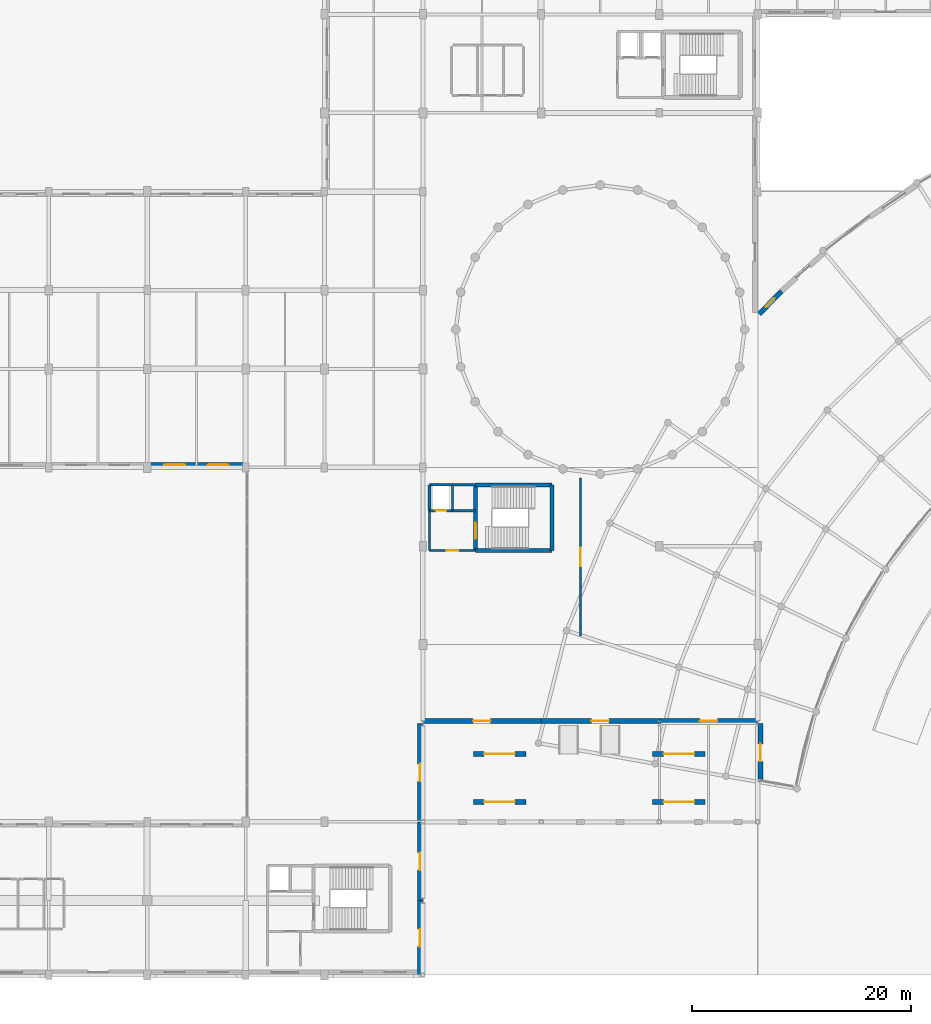
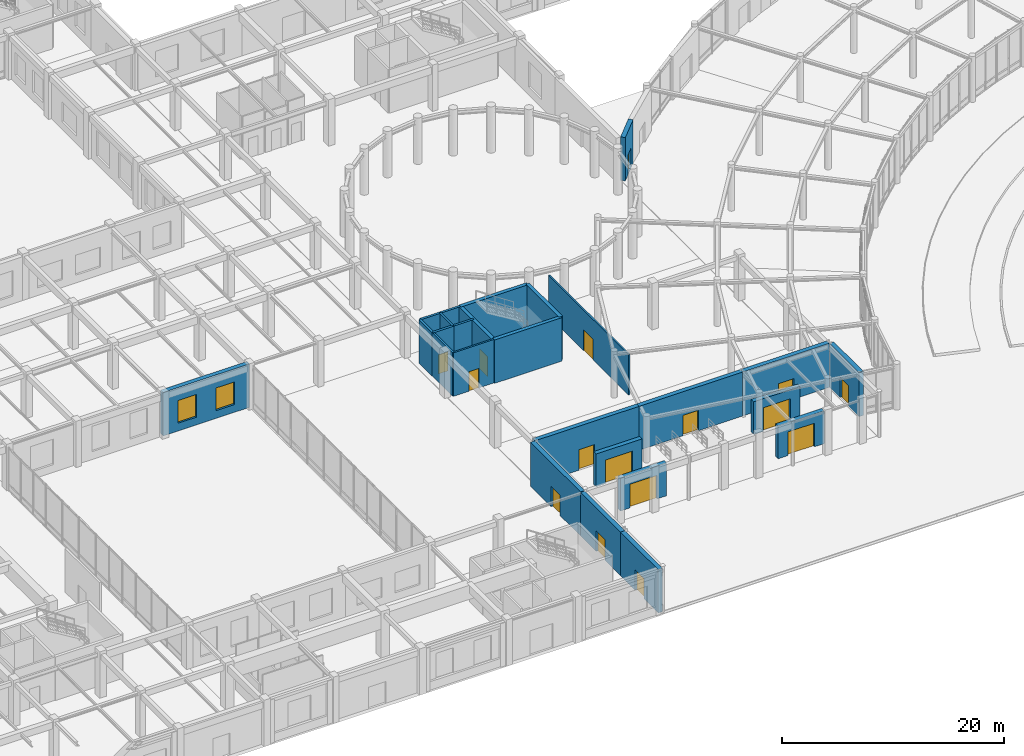
# One storey, part 47 of 64: 25 walls, 16 doors, 2 windows, 18 openings.
"""IFC4 building model written with IfcOpenShell, lengths in metres."""

from ifc_helpers import new_model, si_unit, direction, frame, frame_2d, origin, place, context, subcontext, project, spatial, rectangle, extrude, material, layer, layer_set, type_object, element, fill, save


model = new_model("IFC4")

# Units and contexts
model_context = context("Model", 3, precision=1e-05, world=origin(), true_north=direction((0.0, 1.0)))
body_context = subcontext(model_context, "Body", "Model", "MODEL_VIEW")
ifc_project = project(units=[si_unit("LENGTHUNIT", "METRE"), si_unit("AREAUNIT", "SQUARE_METRE"), si_unit("VOLUMEUNIT", "CUBIC_METRE"), si_unit("PLANEANGLEUNIT", "RADIAN"), si_unit("MASSUNIT", "GRAM", prefix="KILO")], contexts=[model_context])

# Site, building, storey
site_placement = place(None, origin())
site = spatial("IfcSite", under=ifc_project, at=site_placement, CompositionType="ELEMENT")
building_placement = place(site_placement, origin())
building = spatial("IfcBuilding", under=site, at=building_placement, Name="Clarverna Civic Hall", CompositionType="ELEMENT")
storey_placement = place(building_placement, origin())
storey = spatial("IfcBuildingStorey", under=building, at=storey_placement, Name="L00", CompositionType="ELEMENT", Elevation=0.0)

# Wall, opening, door
ifc_material_1 = material(Name="Precast concrete C40/50", Category="concrete")
ifc_layer_1 = layer(ifc_material_1, 0.449951171875)
ifc_layer_set_1 = layer_set([ifc_layer_1], Name="Precast concrete C40/50")
wall_type_1 = type_object("IfcWallType", Name="EW-01", PredefinedType="SOLIDWALL", material=ifc_layer_set_1)
wall_1_placement = place(storey_placement, frame((97.3369140625, 60.410400390625, 0.0), z_axis=(0.0, 0.0, 1.0), x_axis=(0.694682433402, 0.719316562246, 0.0)))
wall_1 = element("IfcWall", 1, at=wall_1_placement, inside=storey, type_object=wall_type_1, Name="EW-01-063", PredefinedType="SOLIDWALL", context=body_context, shape_type="SweptSolid", body=[
    extrude(rectangle(XDim=2.923583984375, YDim=0.449951171875, at=frame_2d((1.4619140625, 0.0))), origin(), (0.0, 0.0, 1.0), 4.780029296875),
])
opening_1_placement = place(wall_1_placement, frame((0.911865234375, 0.0, 0.0)))
opening_1 = element("IfcOpeningElement", 2, at=opening_1_placement, cuts=wall_1, Name="Opening ED-05", PredefinedType="OPENING", context=body_context, shape_type="SweptSolid", body=[
    extrude(rectangle(XDim=1.10009765625, YDim=2.199951171875, at=frame_2d((0.550048828125, 1.10009765625))), frame((0.0, 0.23486328125, 0.0), z_axis=(0.0, -1.0, 0.0), x_axis=(1.0, 0.0, 0.0)), (0.0, 0.0, 1.0), 0.469970703125),
])
ifc_material_2 = material(Name="Anodised Bronze Glazed Door")
door_type_1 = type_object("IfcDoorType", Name="ED-05", OperationType="NOTDEFINED", PredefinedType="DOOR", material=ifc_material_2)
door_1_placement = place(opening_1_placement, origin())
door_1 = element("IfcDoor", 3, at=door_1_placement, inside=storey, type_object=door_type_1, Name="ED-05-001", OperationType="SINGLE_SWING_LEFT", OverallHeight=2.199951171875, OverallWidth=1.10009765625, PredefinedType="DOOR", context=body_context, shape_type="SweptSolid", body=[
    extrude(rectangle(XDim=1.10009765625, YDim=2.199951171875, at=frame_2d((0.550048828125, 1.10009765625))), frame((0.0, 0.02490234375, 0.0), z_axis=(0.0, -1.0, 0.0), x_axis=(1.0, 0.0, 0.0)), (0.0, 0.0, 1.0), 0.050048828125),
])
fill(opening_1, door_1)

wall_2_placement = place(storey_placement, frame((97.449951171875, 17.658203125, 0.0), z_axis=(0.0, 0.0, 1.0), x_axis=(0.0, 1.0, 0.0)))
wall_2 = element("IfcWall", 4, at=wall_2_placement, inside=storey, type_object=wall_type_1, Name="EW-01-071", PredefinedType="SOLIDWALL", context=body_context, shape_type="SweptSolid", body=[
    extrude(rectangle(XDim=5.341796875, YDim=0.449951171875, at=frame_2d((2.6708984375, 0.0))), origin(), (0.0, 0.0, 1.0), 4.840087890625),
])
opening_2_placement = place(wall_2_placement, frame((1.870849609375, 0.0, 0.0)))
opening_2 = element("IfcOpeningElement", 5, at=opening_2_placement, cuts=wall_2, Name="Opening ED-04", PredefinedType="OPENING", context=body_context, shape_type="SweptSolid", body=[
    extrude(rectangle(XDim=1.60009765625, YDim=2.25, at=frame_2d((0.800048828125, 1.125))), frame((0.0, 0.23486328125, 0.0), z_axis=(0.0, -1.0, 0.0), x_axis=(1.0, 0.0, 0.0)), (0.0, 0.0, 1.0), 0.469970703125),
])
door_type_2 = type_object("IfcDoorType", Name="ED-04", OperationType="DOUBLE_DOOR_SINGLE_SWING", PredefinedType="DOOR", material=ifc_material_2)
door_2_placement = place(opening_2_placement, origin())
door_2 = element("IfcDoor", 6, at=door_2_placement, inside=storey, type_object=door_type_2, Name="ED-04-006", OperationType="DOUBLE_DOOR_SINGLE_SWING", OverallHeight=2.25, OverallWidth=1.60009765625, PredefinedType="DOOR", context=body_context, shape_type="SweptSolid", body=[
    extrude(rectangle(XDim=1.60009765625, YDim=2.25, at=frame_2d((0.800048828125, 1.125))), frame((0.0, 0.02490234375, 0.0), z_axis=(0.0, -1.0, 0.0), x_axis=(1.0, 0.0, 0.0)), (0.0, 0.0, 1.0), 0.050048828125),
])
fill(opening_2, door_2)

wall_3_placement = place(storey_placement, frame((97.22509765625, 23.22509765625, 0.0), z_axis=(0.0, 0.0, 1.0), x_axis=(-1.0, 0.0, 0.0)))
wall_3 = element("IfcWall", 7, at=wall_3_placement, inside=storey, type_object=wall_type_1, Name="EW-01-072", PredefinedType="SOLIDWALL", context=body_context, shape_type="SweptSolid", body=[
    extrude(rectangle(XDim=9.025146484375, YDim=0.449951171875, at=frame_2d((4.5126953125, 0.0))), origin(), (0.0, 0.0, 1.0), 4.840087890625),
])
opening_3_placement = place(wall_3_placement, frame((3.71240234375, 0.0, 0.0)))
opening_3 = element("IfcOpeningElement", 8, at=opening_3_placement, cuts=wall_3, Name="Opening ED-04", PredefinedType="OPENING", context=body_context, shape_type="SweptSolid", body=[
    extrude(rectangle(XDim=1.60009765625, YDim=2.25, at=frame_2d((0.800048828125, 1.125))), frame((0.0, 0.23486328125, 0.0), z_axis=(0.0, -1.0, 0.0), x_axis=(1.0, 0.0, 0.0)), (0.0, 0.0, 1.0), 0.469970703125),
])
door_3_placement = place(opening_3_placement, origin())
door_3 = element("IfcDoor", 9, at=door_3_placement, inside=storey, type_object=door_type_2, Name="ED-04-007", OperationType="DOUBLE_DOOR_SINGLE_SWING", OverallHeight=2.25, OverallWidth=1.60009765625, PredefinedType="DOOR", context=body_context, shape_type="SweptSolid", body=[
    extrude(rectangle(XDim=1.60009765625, YDim=2.25, at=frame_2d((0.800048828125, 1.125))), frame((0.0, 0.02490234375, 0.0), z_axis=(0.0, -1.0, 0.0), x_axis=(1.0, 0.0, 0.0)), (0.0, 0.0, 1.0), 0.050048828125),
])
fill(opening_3, door_3)

wall_4_placement = place(storey_placement, frame((88.199951171875, 23.22509765625, 0.0), z_axis=(0.0, 0.0, 1.0), x_axis=(-1.0, 0.0, 0.0)))
wall_4 = element("IfcWall", 10, at=wall_4_placement, inside=storey, type_object=wall_type_1, Name="EW-01-073", PredefinedType="SOLIDWALL", context=body_context, shape_type="SweptSolid", body=[
    extrude(rectangle(XDim=10.800048828125, YDim=0.449951171875, at=frame_2d((5.39990234375, 0.0))), origin(), (0.0, 0.0, 1.0), 4.840087890625),
])
opening_4_placement = place(wall_4_placement, frame((4.60009765625, 0.0, 0.0)))
opening_4 = element("IfcOpeningElement", 11, at=opening_4_placement, cuts=wall_4, Name="Opening ED-04", PredefinedType="OPENING", context=body_context, shape_type="SweptSolid", body=[
    extrude(rectangle(XDim=1.60009765625, YDim=2.25, at=frame_2d((0.800048828125, 1.125))), frame((0.0, 0.23486328125, 0.0), z_axis=(0.0, -1.0, 0.0), x_axis=(1.0, 0.0, 0.0)), (0.0, 0.0, 1.0), 0.469970703125),
])
door_4_placement = place(opening_4_placement, origin())
door_4 = element("IfcDoor", 12, at=door_4_placement, inside=storey, type_object=door_type_2, Name="ED-04-008", OperationType="DOUBLE_DOOR_SINGLE_SWING", OverallHeight=2.25, OverallWidth=1.60009765625, PredefinedType="DOOR", context=body_context, shape_type="SweptSolid", body=[
    extrude(rectangle(XDim=1.60009765625, YDim=2.25, at=frame_2d((0.800048828125, 1.125))), frame((0.0, 0.02490234375, 0.0), z_axis=(0.0, -1.0, 0.0), x_axis=(1.0, 0.0, 0.0)), (0.0, 0.0, 1.0), 0.050048828125),
])
fill(opening_4, door_4)

wall_5_placement = place(storey_placement, frame((77.39990234375, 23.22509765625, 0.0), z_axis=(0.0, 0.0, 1.0), x_axis=(-1.0, 0.0, 0.0)))
wall_5 = element("IfcWall", 13, at=wall_5_placement, inside=storey, type_object=wall_type_1, Name="EW-01-074", PredefinedType="SOLIDWALL", context=body_context, shape_type="SweptSolid", body=[
    extrude(rectangle(XDim=10.824951171875, YDim=0.449951171875, at=frame_2d((5.41259765625, 0.0))), origin(), (0.0, 0.0, 1.0), 4.840087890625),
])
opening_5_placement = place(wall_5_placement, frame((4.612548828125, 0.0, 0.0)))
opening_5 = element("IfcOpeningElement", 14, at=opening_5_placement, cuts=wall_5, Name="Opening ED-04", PredefinedType="OPENING", context=body_context, shape_type="SweptSolid", body=[
    extrude(rectangle(XDim=1.60009765625, YDim=2.25, at=frame_2d((0.800048828125, 1.125))), frame((0.0, 0.23486328125, 0.0), z_axis=(0.0, -1.0, 0.0), x_axis=(1.0, 0.0, 0.0)), (0.0, 0.0, 1.0), 0.469970703125),
])
door_5_placement = place(opening_5_placement, origin())
door_5 = element("IfcDoor", 15, at=door_5_placement, inside=storey, type_object=door_type_2, Name="ED-04-009", OperationType="DOUBLE_DOOR_SINGLE_SWING", OverallHeight=2.25, OverallWidth=1.60009765625, PredefinedType="DOOR", context=body_context, shape_type="SweptSolid", body=[
    extrude(rectangle(XDim=1.60009765625, YDim=2.25, at=frame_2d((0.800048828125, 1.125))), frame((0.0, 0.02490234375, 0.0), z_axis=(0.0, -1.0, 0.0), x_axis=(1.0, 0.0, 0.0)), (0.0, 0.0, 1.0), 0.050048828125),
])
fill(opening_5, door_5)

wall_6_placement = place(storey_placement, frame((66.35009765625, 23.0, 0.0), z_axis=(0.0, 0.0, 1.0), x_axis=(0.0, -1.0, 0.0)))
wall_6 = element("IfcWall", 16, at=wall_6_placement, inside=storey, type_object=wall_type_1, Name="EW-01-075", PredefinedType="SOLIDWALL", context=body_context, shape_type="SweptSolid", body=[
    extrude(rectangle(XDim=9.0, YDim=0.449951171875, at=frame_2d((4.5, 0.0))), origin(), (0.0, 0.0, 1.0), 4.840087890625),
])
opening_6_placement = place(wall_6_placement, frame((3.699951171875, 0.0, 0.0)))
opening_6 = element("IfcOpeningElement", 17, at=opening_6_placement, cuts=wall_6, Name="Opening ED-04", PredefinedType="OPENING", context=body_context, shape_type="SweptSolid", body=[
    extrude(rectangle(XDim=1.60009765625, YDim=2.25, at=frame_2d((0.800048828125, 1.125))), frame((0.0, 0.23486328125, 0.0), z_axis=(0.0, -1.0, 0.0), x_axis=(1.0, 0.0, 0.0)), (0.0, 0.0, 1.0), 0.469970703125),
])
door_6_placement = place(opening_6_placement, origin())
door_6 = element("IfcDoor", 18, at=door_6_placement, inside=storey, type_object=door_type_2, Name="ED-04-010", OperationType="DOUBLE_DOOR_SINGLE_SWING", OverallHeight=2.25, OverallWidth=1.60009765625, PredefinedType="DOOR", context=body_context, shape_type="SweptSolid", body=[
    extrude(rectangle(XDim=1.60009765625, YDim=2.25, at=frame_2d((0.800048828125, 1.125))), frame((0.0, 0.02490234375, 0.0), z_axis=(0.0, -1.0, 0.0), x_axis=(1.0, 0.0, 0.0)), (0.0, 0.0, 1.0), 0.050048828125),
])
fill(opening_6, door_6)

wall_7_placement = place(storey_placement, frame((66.35009765625, 14.0, 0.0), z_axis=(0.0, 0.0, 1.0), x_axis=(0.0, -1.0, 0.0)))
wall_7 = element("IfcWall", 19, at=wall_7_placement, inside=storey, type_object=wall_type_1, Name="EW-01-076", PredefinedType="SOLIDWALL", context=body_context, shape_type="SweptSolid", body=[
    extrude(rectangle(XDim=7.199951171875, YDim=0.449951171875, at=frame_2d((3.60009765625, 0.0))), origin(), (0.0, 0.0, 1.0), 4.780029296875),
])
opening_7_placement = place(wall_7_placement, frame((2.800048828125, 0.0, 0.0)))
opening_7 = element("IfcOpeningElement", 20, at=opening_7_placement, cuts=wall_7, Name="Opening ED-04", PredefinedType="OPENING", context=body_context, shape_type="SweptSolid", body=[
    extrude(rectangle(XDim=1.60009765625, YDim=2.25, at=frame_2d((0.800048828125, 1.125))), frame((0.0, 0.23486328125, 0.0), z_axis=(0.0, -1.0, 0.0), x_axis=(1.0, 0.0, 0.0)), (0.0, 0.0, 1.0), 0.469970703125),
])
door_7_placement = place(opening_7_placement, origin())
door_7 = element("IfcDoor", 21, at=door_7_placement, inside=storey, type_object=door_type_2, Name="ED-04-011", OperationType="DOUBLE_DOOR_SINGLE_SWING", OverallHeight=2.25, OverallWidth=1.60009765625, PredefinedType="DOOR", context=body_context, shape_type="SweptSolid", body=[
    extrude(rectangle(XDim=1.60009765625, YDim=2.25, at=frame_2d((0.800048828125, 1.125))), frame((0.0, 0.02490234375, 0.0), z_axis=(0.0, -1.0, 0.0), x_axis=(1.0, 0.0, 0.0)), (0.0, 0.0, 1.0), 0.050048828125),
])
fill(opening_7, door_7)

wall_8_placement = place(storey_placement, frame((66.35009765625, 6.800048828125, 0.0), z_axis=(0.0, 0.0, 1.0), x_axis=(0.0, -1.0, 0.0)))
wall_8 = element("IfcWall", 22, at=wall_8_placement, inside=storey, type_object=wall_type_1, Name="EW-01-077", PredefinedType="SOLIDWALL", context=body_context, shape_type="SweptSolid", body=[
    extrude(rectangle(XDim=6.800048828125, YDim=0.449951171875, at=frame_2d((3.39990234375, 0.0))), origin(), (0.0, 0.0, 1.0), 4.780029296875),
])
opening_8_placement = place(wall_8_placement, frame((2.60009765625, 0.0, 0.0)))
opening_8 = element("IfcOpeningElement", 23, at=opening_8_placement, cuts=wall_8, Name="Opening ED-04", PredefinedType="OPENING", context=body_context, shape_type="SweptSolid", body=[
    extrude(rectangle(XDim=1.60009765625, YDim=2.25, at=frame_2d((0.800048828125, 1.125))), frame((0.0, 0.23486328125, 0.0), z_axis=(0.0, -1.0, 0.0), x_axis=(1.0, 0.0, 0.0)), (0.0, 0.0, 1.0), 0.469970703125),
])
door_8_placement = place(opening_8_placement, origin())
door_8 = element("IfcDoor", 24, at=door_8_placement, inside=storey, type_object=door_type_2, Name="ED-04-012", OperationType="DOUBLE_DOOR_SINGLE_SWING", OverallHeight=2.25, OverallWidth=1.60009765625, PredefinedType="DOOR", context=body_context, shape_type="SweptSolid", body=[
    extrude(rectangle(XDim=1.60009765625, YDim=2.25, at=frame_2d((0.800048828125, 1.125))), frame((0.0, 0.02490234375, 0.0), z_axis=(0.0, -1.0, 0.0), x_axis=(1.0, 0.0, 0.0)), (0.0, 0.0, 1.0), 0.050048828125),
])
fill(opening_8, door_8)

# Wall, openings, windows
wall_9_placement = place(storey_placement, frame((50.39990234375, 46.625, 0.0), z_axis=(0.0, 0.0, 1.0), x_axis=(-1.0, 0.0, 0.0)))
wall_9 = element("IfcWall", 25, at=wall_9_placement, inside=storey, type_object=wall_type_1, Name="EW-01-098", PredefinedType="SOLIDWALL", context=body_context, shape_type="SweptSolid", body=[
    extrude(rectangle(XDim=9.0, YDim=0.449951171875, at=frame_2d((4.5, 0.0))), origin(), (0.0, 0.0, 1.0), 4.780029296875),
])
opening_9_placement = place(wall_9_placement, frame((1.570068359375, 0.0, 0.85009765625)))
opening_9 = element("IfcOpeningElement", 26, at=opening_9_placement, cuts=wall_9, Name="Opening WN-30", PredefinedType="OPENING", context=body_context, shape_type="SweptSolid", body=[
    extrude(rectangle(XDim=1.89990234375, YDim=2.5, at=frame_2d((0.949951171875, 1.25))), frame((0.0, 0.23486328125, 0.0), z_axis=(0.0, -1.0, 0.0), x_axis=(1.0, 0.0, 0.0)), (0.0, 0.0, 1.0), 0.469970703125),
])
opening_10_placement = place(wall_9_placement, frame((5.530029296875, 0.0, 0.85009765625)))
opening_10 = element("IfcOpeningElement", 27, at=opening_10_placement, cuts=wall_9, Name="Opening WN-30", PredefinedType="OPENING", context=body_context, shape_type="SweptSolid", body=[
    extrude(rectangle(XDim=1.89990234375, YDim=2.5, at=frame_2d((0.949951171875, 1.25))), frame((0.0, 0.23486328125, 0.0), z_axis=(0.0, -1.0, 0.0), x_axis=(1.0, 0.0, 0.0)), (0.0, 0.0, 1.0), 0.469970703125),
])
ifc_material_3 = material(Name="Solar-Control Argon Low-E Double Glazing", Category="glass")
window_type = type_object("IfcWindowType", Name="WN-30", PartitioningType="DOUBLE_PANEL_VERTICAL", PredefinedType="WINDOW", material=ifc_material_3)
window_1_placement = place(opening_9_placement, origin())
window_1 = element("IfcWindow", 28, at=window_1_placement, inside=storey, type_object=window_type, Name="WN-30-024", OverallHeight=2.5, OverallWidth=1.89990234375, PartitioningType="DOUBLE_PANEL_VERTICAL", PredefinedType="WINDOW", context=body_context, shape_type="SweptSolid", body=[
    extrude(rectangle(XDim=1.89990234375, YDim=2.5, at=frame_2d((0.949951171875, 1.25))), frame((0.0, 0.030029296875, 0.0), z_axis=(0.0, -1.0, 0.0), x_axis=(1.0, 0.0, 0.0)), (0.0, 0.0, 1.0), 0.06005859375),
])
fill(opening_9, window_1)
window_2_placement = place(opening_10_placement, origin())
window_2 = element("IfcWindow", 29, at=window_2_placement, inside=storey, type_object=window_type, Name="WN-30-025", OverallHeight=2.5, OverallWidth=1.89990234375, PartitioningType="DOUBLE_PANEL_VERTICAL", PredefinedType="WINDOW", context=body_context, shape_type="SweptSolid", body=[
    extrude(rectangle(XDim=1.89990234375, YDim=2.5, at=frame_2d((0.949951171875, 1.25))), frame((0.0, 0.030029296875, 0.0), z_axis=(0.0, -1.0, 0.0), x_axis=(1.0, 0.0, 0.0)), (0.0, 0.0, 1.0), 0.06005859375),
])
fill(opening_10, window_2)

# Wall, opening, door
wall_10_placement = place(storey_placement, frame((71.199951171875, 15.800048828125, 0.0), z_axis=(0.0, 0.0, 1.0), x_axis=(1.0, 0.0, 0.0)))
wall_10 = element("IfcWall", 30, at=wall_10_placement, inside=storey, type_object=wall_type_1, Name="EW-01-102", PredefinedType="SOLIDWALL", context=body_context, shape_type="SweptSolid", body=[
    extrude(rectangle(XDim=4.800048828125, YDim=0.449951171875, at=frame_2d((2.39990234375, 0.0))), origin(), (0.0, 0.0, 1.0), 3.60009765625),
])
opening_11_placement = place(wall_10_placement, frame((1.0, 0.0, 0.0)))
opening_11 = element("IfcOpeningElement", 31, at=opening_11_placement, cuts=wall_10, Name="Opening SG-01", PredefinedType="OPENING", context=body_context, shape_type="SweptSolid", body=[
    extrude(rectangle(XDim=2.800048828125, YDim=2.60009765625, at=frame_2d((1.39990234375, 1.300048828125))), frame((0.0, 0.23486328125, 0.0), z_axis=(0.0, -1.0, 0.0), x_axis=(1.0, 0.0, 0.0)), (0.0, 0.0, 1.0), 0.469970703125),
])
ifc_material_4 = material(Name="Anodised Bronze Architectural Grille")
door_type_3 = type_object("IfcDoorType", Name="SG-01", OperationType="DOUBLE_DOOR_SINGLE_SWING", PredefinedType="GATE", material=ifc_material_4)
door_9_placement = place(opening_11_placement, origin())
door_9 = element("IfcDoor", 32, at=door_9_placement, inside=storey, type_object=door_type_3, Name="SG-01-001", OperationType="DOUBLE_DOOR_SINGLE_SWING", OverallHeight=2.60009765625, OverallWidth=2.800048828125, PredefinedType="GATE", context=body_context, shape_type="SweptSolid", body=[
    extrude(rectangle(XDim=2.800048828125, YDim=2.60009765625, at=frame_2d((1.39990234375, 1.300048828125))), frame((0.0, 0.02490234375, 0.0), z_axis=(0.0, -1.0, 0.0), x_axis=(1.0, 0.0, 0.0)), (0.0, 0.0, 1.0), 0.050048828125),
])
fill(opening_11, door_9)

wall_11_placement = place(storey_placement, frame((87.60009765625, 15.800048828125, 0.0), z_axis=(0.0, 0.0, 1.0), x_axis=(1.0, 0.0, 0.0)))
wall_11 = element("IfcWall", 33, at=wall_11_placement, inside=storey, type_object=wall_type_1, Name="EW-01-103", PredefinedType="SOLIDWALL", context=body_context, shape_type="SweptSolid", body=[
    extrude(rectangle(XDim=4.7998046875, YDim=0.449951171875, at=frame_2d((2.39990234375, 0.0))), origin(), (0.0, 0.0, 1.0), 3.60009765625),
])
opening_12_placement = place(wall_11_placement, frame((1.0, 0.0, 0.0)))
opening_12 = element("IfcOpeningElement", 34, at=opening_12_placement, cuts=wall_11, Name="Opening SG-01", PredefinedType="OPENING", context=body_context, shape_type="SweptSolid", body=[
    extrude(rectangle(XDim=2.800048828125, YDim=2.60009765625, at=frame_2d((1.39990234375, 1.300048828125))), frame((0.0, 0.23486328125, 0.0), z_axis=(0.0, -1.0, 0.0), x_axis=(1.0, 0.0, 0.0)), (0.0, 0.0, 1.0), 0.469970703125),
])
door_10_placement = place(opening_12_placement, origin())
door_10 = element("IfcDoor", 35, at=door_10_placement, inside=storey, type_object=door_type_3, Name="SG-01-002", OperationType="DOUBLE_DOOR_SINGLE_SWING", OverallHeight=2.60009765625, OverallWidth=2.800048828125, PredefinedType="GATE", context=body_context, shape_type="SweptSolid", body=[
    extrude(rectangle(XDim=2.800048828125, YDim=2.60009765625, at=frame_2d((1.39990234375, 1.300048828125))), frame((0.0, 0.02490234375, 0.0), z_axis=(0.0, -1.0, 0.0), x_axis=(1.0, 0.0, 0.0)), (0.0, 0.0, 1.0), 0.050048828125),
])
fill(opening_12, door_10)

wall_12_placement = place(storey_placement, frame((71.199951171875, 20.199951171875, 0.0), z_axis=(0.0, 0.0, 1.0), x_axis=(1.0, 0.0, 0.0)))
wall_12 = element("IfcWall", 36, at=wall_12_placement, inside=storey, type_object=wall_type_1, Name="EW-01-104", PredefinedType="SOLIDWALL", context=body_context, shape_type="SweptSolid", body=[
    extrude(rectangle(XDim=4.800048828125, YDim=0.449951171875, at=frame_2d((2.39990234375, 0.0))), origin(), (0.0, 0.0, 1.0), 3.60009765625),
])
opening_13_placement = place(wall_12_placement, frame((1.0, 0.0, 0.0)))
opening_13 = element("IfcOpeningElement", 37, at=opening_13_placement, cuts=wall_12, Name="Opening SG-01", PredefinedType="OPENING", context=body_context, shape_type="SweptSolid", body=[
    extrude(rectangle(XDim=2.800048828125, YDim=2.60009765625, at=frame_2d((1.39990234375, 1.300048828125))), frame((0.0, 0.23486328125, 0.0), z_axis=(0.0, -1.0, 0.0), x_axis=(1.0, 0.0, 0.0)), (0.0, 0.0, 1.0), 0.469970703125),
])
door_11_placement = place(opening_13_placement, origin())
door_11 = element("IfcDoor", 38, at=door_11_placement, inside=storey, type_object=door_type_3, Name="SG-01-003", OperationType="DOUBLE_DOOR_SINGLE_SWING", OverallHeight=2.60009765625, OverallWidth=2.800048828125, PredefinedType="GATE", context=body_context, shape_type="SweptSolid", body=[
    extrude(rectangle(XDim=2.800048828125, YDim=2.60009765625, at=frame_2d((1.39990234375, 1.300048828125))), frame((0.0, 0.02490234375, 0.0), z_axis=(0.0, -1.0, 0.0), x_axis=(1.0, 0.0, 0.0)), (0.0, 0.0, 1.0), 0.050048828125),
])
fill(opening_13, door_11)

wall_13_placement = place(storey_placement, frame((87.60009765625, 20.199951171875, 0.0), z_axis=(0.0, 0.0, 1.0), x_axis=(1.0, 0.0, 0.0)))
wall_13 = element("IfcWall", 39, at=wall_13_placement, inside=storey, type_object=wall_type_1, Name="EW-01-105", PredefinedType="SOLIDWALL", context=body_context, shape_type="SweptSolid", body=[
    extrude(rectangle(XDim=4.7998046875, YDim=0.449951171875, at=frame_2d((2.39990234375, 0.0))), origin(), (0.0, 0.0, 1.0), 3.60009765625),
])
opening_14_placement = place(wall_13_placement, frame((1.0, 0.0, 0.0)))
opening_14 = element("IfcOpeningElement", 40, at=opening_14_placement, cuts=wall_13, Name="Opening SG-01", PredefinedType="OPENING", context=body_context, shape_type="SweptSolid", body=[
    extrude(rectangle(XDim=2.800048828125, YDim=2.60009765625, at=frame_2d((1.39990234375, 1.300048828125))), frame((0.0, 0.23486328125, 0.0), z_axis=(0.0, -1.0, 0.0), x_axis=(1.0, 0.0, 0.0)), (0.0, 0.0, 1.0), 0.469970703125),
])
door_12_placement = place(opening_14_placement, origin())
door_12 = element("IfcDoor", 41, at=door_12_placement, inside=storey, type_object=door_type_3, Name="SG-01-004", OperationType="DOUBLE_DOOR_SINGLE_SWING", OverallHeight=2.60009765625, OverallWidth=2.800048828125, PredefinedType="GATE", context=body_context, shape_type="SweptSolid", body=[
    extrude(rectangle(XDim=2.800048828125, YDim=2.60009765625, at=frame_2d((1.39990234375, 1.300048828125))), frame((0.0, 0.02490234375, 0.0), z_axis=(0.0, -1.0, 0.0), x_axis=(1.0, 0.0, 0.0)), (0.0, 0.0, 1.0), 0.050048828125),
])
fill(opening_14, door_12)

ifc_material_5 = material(Name="Acoustic Gypsum Plasterboard Partition", Category="gypsum")
ifc_layer_2 = layer(ifc_material_5, 0.159912109375)
ifc_layer_set_2 = layer_set([ifc_layer_2], Name="Acoustic Gypsum Plasterboard Partition")
wall_type_2 = type_object("IfcWallType", Name="PW-01", PredefinedType="PARTITIONING", material=ifc_layer_set_2)
wall_14_placement = place(storey_placement, frame((81.0, 31.0, 0.0), z_axis=(0.0, 0.0, 1.0), x_axis=(0.0, 1.0, 0.0)))
wall_14 = element("IfcWall", 42, at=wall_14_placement, inside=storey, type_object=wall_type_2, Name="PW-01-002", PredefinedType="PARTITIONING", context=body_context, shape_type="SweptSolid", body=[
    extrude(rectangle(XDim=14.39990234375, YDim=0.159912109375, at=frame_2d((7.199951171875, 0.0))), origin(), (0.0, 0.0, 1.0), 4.449951171875),
])
opening_15_placement = place(wall_14_placement, frame((6.35009765625, 0.0, 0.0)))
opening_15 = element("IfcOpeningElement", 43, at=opening_15_placement, cuts=wall_14, Name="Opening ID-04", PredefinedType="OPENING", context=body_context, shape_type="SweptSolid", body=[
    extrude(rectangle(XDim=1.699951171875, YDim=2.300048828125, at=frame_2d((0.85009765625, 1.14990234375))), frame((0.0, 0.08984375, 0.0), z_axis=(0.0, -1.0, 0.0), x_axis=(1.0, 0.0, 0.0)), (0.0, 0.0, 1.0), 0.179931640625),
])
ifc_material_6 = material(Name="Glazed Bronze-Framed Oak Double Door")
door_type_4 = type_object("IfcDoorType", Name="ID-04", OperationType="DOUBLE_DOOR_SINGLE_SWING", PredefinedType="DOOR", material=ifc_material_6)
door_13_placement = place(opening_15_placement, origin())
door_13 = element("IfcDoor", 44, at=door_13_placement, inside=storey, type_object=door_type_4, Name="ID-04-002", OperationType="DOUBLE_DOOR_SINGLE_SWING", OverallHeight=2.300048828125, OverallWidth=1.699951171875, PredefinedType="DOOR", context=body_context, shape_type="SweptSolid", body=[
    extrude(rectangle(XDim=1.699951171875, YDim=2.300048828125, at=frame_2d((0.85009765625, 1.14990234375))), frame((0.0, 0.02490234375, 0.0), z_axis=(0.0, -1.0, 0.0), x_axis=(1.0, 0.0, 0.0)), (0.0, 0.0, 1.0), 0.050048828125),
])
fill(opening_15, door_13)

# Wall
ifc_material_7 = material(Name="Acoustic Gypsum Plasterboard on Twin Frame", Category="gypsum")
ifc_layer_3 = layer(ifc_material_7, 0.18994140625)
ifc_layer_set_3 = layer_set([ifc_layer_3], Name="Acoustic Gypsum Plasterboard on Twin Frame")
wall_type_3 = type_object("IfcWallType", Name="PW-06", PredefinedType="PARTITIONING", material=ifc_layer_set_3)
wall_15_placement = place(storey_placement, frame((67.199951171875, 38.800048828125, 0.0), z_axis=(0.0, 0.0, 1.0), x_axis=(0.0, 1.0, 0.0)))
element("IfcWall", 45, at=wall_15_placement, inside=storey, type_object=wall_type_3, Name="PW-06-051", PredefinedType="PARTITIONING", context=body_context, shape_type="SweptSolid", body=[
    extrude(rectangle(XDim=3.64990234375, YDim=0.18994140625, at=frame_2d((1.824951171875, 0.0))), origin(), (0.0, 0.0, 1.0), 4.780029296875),
])

# Wall, opening, door
wall_16_placement = place(storey_placement, frame((67.199951171875, 38.800048828125, 0.0), z_axis=(0.0, 0.0, 1.0), x_axis=(1.0, 0.0, 0.0)))
wall_16 = element("IfcWall", 46, at=wall_16_placement, inside=storey, type_object=wall_type_3, Name="PW-06-052", PredefinedType="PARTITIONING", context=body_context, shape_type="SweptSolid", body=[
    extrude(rectangle(XDim=4.199951171875, YDim=0.18994140625, at=frame_2d((2.10009765625, 0.0))), origin(), (0.0, 0.0, 1.0), 4.780029296875),
])
opening_16_placement = place(wall_16_placement, frame((1.574951171875, 0.0, 0.0)))
opening_16 = element("IfcOpeningElement", 47, at=opening_16_placement, cuts=wall_16, Name="Opening FD-02", PredefinedType="OPENING", context=body_context, shape_type="SweptSolid", body=[
    extrude(rectangle(XDim=1.050048828125, YDim=2.14990234375, at=frame_2d((0.52490234375, 1.074951171875))), frame((0.0, 0.10498046875, 0.0), z_axis=(0.0, -1.0, 0.0), x_axis=(1.0, 0.0, 0.0)), (0.0, 0.0, 1.0), 0.2099609375),
])
ifc_material_8 = material(Name="Acoustic Timber-Faced Fire Door", Category="wood")
door_type_5 = type_object("IfcDoorType", Name="FD-02", OperationType="NOTDEFINED", PredefinedType="DOOR", material=ifc_material_8)
door_14_placement = place(opening_16_placement, origin())
door_14 = element("IfcDoor", 48, at=door_14_placement, inside=storey, type_object=door_type_5, Name="FD-02-048", OperationType="SINGLE_SWING_RIGHT", OverallHeight=2.14990234375, OverallWidth=1.050048828125, PredefinedType="DOOR", context=body_context, shape_type="SweptSolid", body=[
    extrude(rectangle(XDim=1.050048828125, YDim=2.14990234375, at=frame_2d((0.52490234375, 1.074951171875))), frame((0.0, 0.02490234375, 0.0), z_axis=(0.0, -1.0, 0.0), x_axis=(1.0, 0.0, 0.0)), (0.0, 0.0, 1.0), 0.050048828125),
])
fill(opening_16, door_14)

ifc_material_9 = material(Name="Concrete C35/45", Category="concrete")
ifc_layer_4 = layer(ifc_material_9, 0.3798828125)
ifc_layer_set_4 = layer_set([ifc_layer_4], Name="Concrete C35/45")
wall_type_4 = type_object("IfcWallType", Name="SW-01", PredefinedType="SHEAR", material=ifc_layer_set_4)
wall_17_placement = place(storey_placement, frame((71.39990234375, 38.800048828125, 0.0), z_axis=(0.0, 0.0, 1.0), x_axis=(0.0, 1.0, 0.0)))
wall_17 = element("IfcWall", 49, at=wall_17_placement, inside=storey, type_object=wall_type_4, Name="SW-01-226", PredefinedType="SHEAR", context=body_context, shape_type="SweptSolid", body=[
    extrude(rectangle(XDim=6.0, YDim=0.3798828125, at=frame_2d((3.0, 0.0))), origin(), (0.0, 0.0, 1.0), 4.780029296875),
])
opening_17_placement = place(wall_17_placement, frame((1.074951171875, 0.0, 0.0)))
opening_17 = element("IfcOpeningElement", 50, at=opening_17_placement, cuts=wall_17, Name="Opening FD-01", PredefinedType="OPENING", context=body_context, shape_type="SweptSolid", body=[
    extrude(rectangle(XDim=1.449951171875, YDim=2.199951171875, at=frame_2d((0.72509765625, 1.10009765625))), frame((0.0, 0.199951171875, 0.0), z_axis=(0.0, -1.0, 0.0), x_axis=(1.0, 0.0, 0.0)), (0.0, 0.0, 1.0), 0.39990234375),
])
door_type_6 = type_object("IfcDoorType", Name="FD-01", OperationType="DOUBLE_DOOR_SINGLE_SWING", PredefinedType="DOOR", material=ifc_material_8)
door_15_placement = place(opening_17_placement, origin())
door_15 = element("IfcDoor", 51, at=door_15_placement, inside=storey, type_object=door_type_6, Name="FD-01-004", OperationType="DOUBLE_DOOR_SINGLE_SWING", OverallHeight=2.199951171875, OverallWidth=1.449951171875, PredefinedType="DOOR", context=body_context, shape_type="SweptSolid", body=[
    extrude(rectangle(XDim=1.449951171875, YDim=2.199951171875, at=frame_2d((0.72509765625, 1.10009765625))), frame((0.0, 0.02490234375, 0.0), z_axis=(0.0, -1.0, 0.0), x_axis=(1.0, 0.0, 0.0)), (0.0, 0.0, 1.0), 0.050048828125),
])
fill(opening_17, door_15)

# Walls
wall_18_placement = place(storey_placement, frame((78.39990234375, 38.800048828125, 0.0), z_axis=(0.0, 0.0, 1.0), x_axis=(0.0, 1.0, 0.0)))
element("IfcWall", 52, at=wall_18_placement, inside=storey, type_object=wall_type_4, Name="SW-01-227", PredefinedType="SHEAR", context=body_context, shape_type="SweptSolid", body=[
    extrude(rectangle(XDim=6.0, YDim=0.3798828125, at=frame_2d((3.0, 0.0))), origin(), (0.0, 0.0, 1.0), 4.780029296875),
])
for number, where, z_axis, x_axis, name in (
    (53, (71.39990234375, 38.800048828125, 0.0), (0.0, 0.0, 1.0), (1.0, 0.0, 0.0), "SW-01-228"),
    (54, (71.39990234375, 44.800048828125, 0.0), (0.0, 0.0, 1.0), (1.0, 0.0, 0.0), "SW-01-229"),
):
    element("IfcWall", number, at=place(storey_placement, frame(where, z_axis=z_axis, x_axis=x_axis)), inside=storey, type_object=wall_type_4, Name=name, PredefinedType="SHEAR", context=body_context, shape_type="SweptSolid", body=[
        extrude(rectangle(XDim=7.0, YDim=0.3798828125, at=frame_2d((3.5, 0.0))), origin(), (0.0, 0.0, 1.0), 4.780029296875),
    ])
wall_19_placement = place(storey_placement, frame((67.199951171875, 44.800048828125, 0.0), z_axis=(0.0, 0.0, 1.0), x_axis=(1.0, 0.0, 0.0)))
element("IfcWall", 55, at=wall_19_placement, inside=storey, type_object=wall_type_4, Name="SW-01-230", PredefinedType="SHEAR", context=body_context, shape_type="SweptSolid", body=[
    extrude(rectangle(XDim=4.199951171875, YDim=0.239990234375, at=frame_2d((2.10009765625, 0.0))), origin(), (0.0, 0.0, 1.0), 4.780029296875),
])
wall_20_placement = place(storey_placement, frame((67.199951171875, 42.449951171875, 0.0), z_axis=(0.0, 0.0, 1.0), x_axis=(0.0, 1.0, 0.0)))
element("IfcWall", 56, at=wall_20_placement, inside=storey, type_object=wall_type_4, Name="SW-01-231", PredefinedType="SHEAR", context=body_context, shape_type="SweptSolid", body=[
    extrude(rectangle(XDim=2.35009765625, YDim=0.239990234375, at=frame_2d((1.175048828125, 0.0))), origin(), (0.0, 0.0, 1.0), 4.780029296875),
])
wall_21_placement = place(storey_placement, frame((69.300048828125, 42.449951171875, 0.0), z_axis=(0.0, 0.0, 1.0), x_axis=(0.0, 1.0, 0.0)))
element("IfcWall", 57, at=wall_21_placement, inside=storey, type_object=wall_type_4, Name="SW-01-232", PredefinedType="SHEAR", context=body_context, shape_type="SweptSolid", body=[
    extrude(rectangle(XDim=2.35009765625, YDim=0.199951171875, at=frame_2d((1.175048828125, 0.0))), origin(), (0.0, 0.0, 1.0), 4.780029296875),
])

# Wall, opening, door
wall_22_placement = place(storey_placement, frame((67.199951171875, 42.449951171875, 0.0), z_axis=(0.0, 0.0, 1.0), x_axis=(1.0, 0.0, 0.0)))
wall_22 = element("IfcWall", 58, at=wall_22_placement, inside=storey, type_object=wall_type_4, Name="SW-01-233", PredefinedType="SHEAR", context=body_context, shape_type="SweptSolid", body=[
    extrude(rectangle(XDim=2.10009765625, YDim=0.239990234375, at=frame_2d((1.050048828125, 0.0))), origin(), (0.0, 0.0, 1.0), 4.780029296875),
])
opening_18_placement = place(wall_22_placement, frame((0.550048828125, 0.0, 0.0)))
opening_18 = element("IfcOpeningElement", 59, at=opening_18_placement, cuts=wall_22, Name="Opening LD-01", PredefinedType="OPENING", context=body_context, shape_type="SweptSolid", body=[
    extrude(rectangle(XDim=1.0, YDim=2.10009765625, at=frame_2d((0.5, 1.050048828125))), frame((0.0, 0.1298828125, 0.0), z_axis=(0.0, -1.0, 0.0), x_axis=(1.0, 0.0, 0.0)), (0.0, 0.0, 1.0), 0.260009765625),
])
ifc_material_10 = material(Name="Brushed Bronze Stainless Lift Landing Door")
door_type_7 = type_object("IfcDoorType", Name="LD-01", OperationType="SLIDING_TO_LEFT", PredefinedType="DOOR", material=ifc_material_10)
door_16_placement = place(opening_18_placement, origin())
door_16 = element("IfcDoor", 60, at=door_16_placement, inside=storey, type_object=door_type_7, Name="LD-01-050", OperationType="SLIDING_TO_LEFT", OverallHeight=2.10009765625, OverallWidth=1.0, PredefinedType="DOOR", context=body_context, shape_type="SweptSolid", body=[
    extrude(rectangle(XDim=1.0, YDim=2.10009765625, at=frame_2d((0.5, 1.050048828125))), frame((0.0, 0.02490234375, 0.0), z_axis=(0.0, -1.0, 0.0), x_axis=(1.0, 0.0, 0.0)), (0.0, 0.0, 1.0), 0.050048828125),
])
fill(opening_18, door_16)

# Wall
wall_23_placement = place(storey_placement, frame((69.300048828125, 42.449951171875, 0.0), z_axis=(0.0, 0.0, 1.0), x_axis=(1.0, 0.0, 0.0)))
element("IfcWall", 61, at=wall_23_placement, inside=storey, type_object=wall_type_4, Name="SW-01-234", PredefinedType="SHEAR", context=body_context, shape_type="SweptSolid", body=[
    extrude(rectangle(XDim=2.099853515625, YDim=0.239990234375, at=frame_2d((1.0498046875, 0.0))), origin(), (0.0, 0.0, 1.0), 4.780029296875),
])

save(model, "model.ifc")
